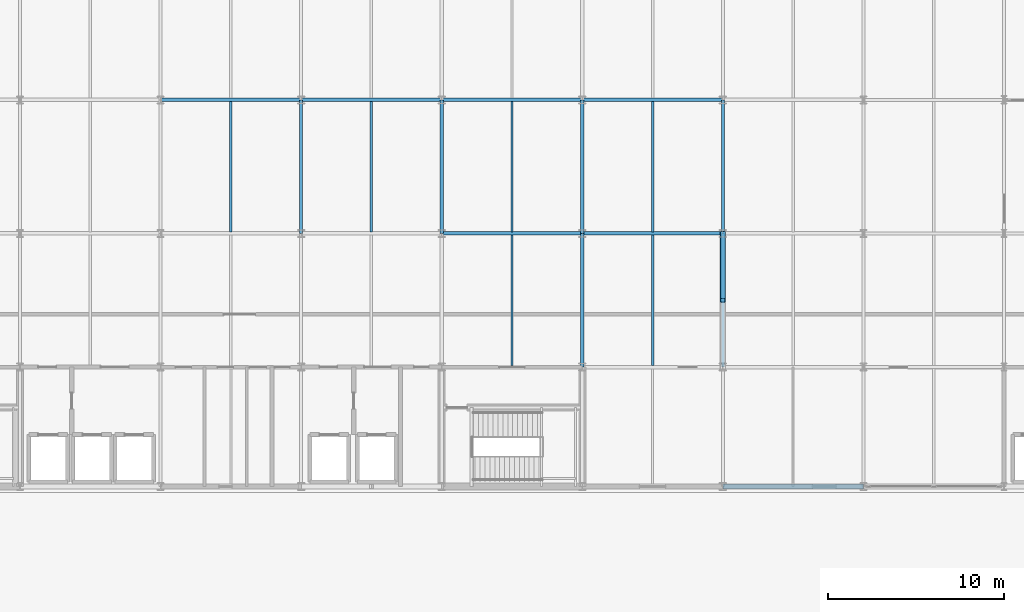
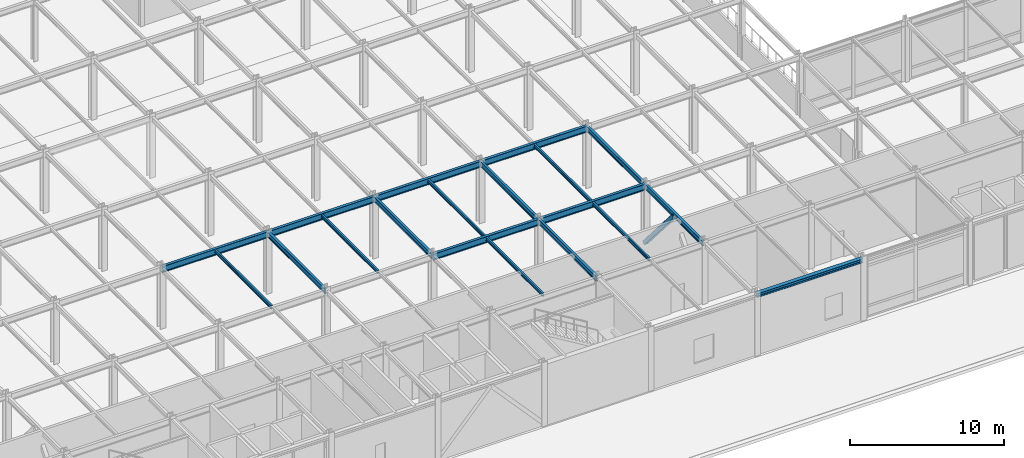
# One storey, part 25 of 113: 19 beams, 1 member.
"""IFC4 building model written with IfcOpenShell, lengths in metres."""

import ifcopenshell
import ifcopenshell.guid

model = None  # the IFC model being written
_history = None  # IfcOwnerHistory: only IFC2X3 demands one
_inside = {}  # id of a spatial element -> (the spatial element, [elements in it])
_under = {}  # id of a project, library or spatial element -> (it, [spatial elements below it])
_declared = {}  # id of a project -> (the project, [libraries it declares])
_typed = {}  # id of a type object -> (the type object, [elements of that type])
_made_of = {}  # id of a material, layer set ... -> (it, [elements and type objects made of it])


def new_model(schema):
    """Start an empty IFC model of exactly this schema.

    Asked for "IFC4X3", IfcOpenShell would pick the latest addendum, in which some entities
    have other attributes; the version numbers below select the first issue.
    IFC2X3 requires an IfcOwnerHistory on every rooted entity: one is made here for all.
    """
    global model, _history
    if schema == "IFC4X3":
        model = ifcopenshell.file(schema_version=(4, 3, 0, 0))
    else:
        model = ifcopenshell.file(schema=schema)
    _inside.clear()
    _under.clear()
    _declared.clear()
    _typed.clear()
    _made_of.clear()
    _history = None
    if model.schema == "IFC2X3":
        org = make("IfcOrganization", Name="unknown")
        user = make(
            "IfcPersonAndOrganization",
            ThePerson=make("IfcPerson", FamilyName="unknown"),
            TheOrganization=org,
        )
        app = make(
            "IfcApplication",
            ApplicationDeveloper=org,
            Version="unknown",
            ApplicationFullName="unknown",
            ApplicationIdentifier="unknown",
        )
        _history = make(
            "IfcOwnerHistory",
            OwningUser=user,
            OwningApplication=app,
            ChangeAction="ADDED",
            CreationDate=0,
        )
    return model


def make(cls, **values):
    """One entity of the class cls with the attributes given. An attribute that is None is left unset."""
    return model.create_entity(
        cls, **{name: value for name, value in values.items() if value is not None}
    )


def rooted(cls, **values):
    """An entity with a GlobalId (a new one), such as an element, a storey or a relation."""
    return make(cls, GlobalId=ifcopenshell.guid.new(), OwnerHistory=_history, **values)


def si_unit(unit_type, name, prefix=None):
    """IfcSIUnit, for example si_unit("LENGTHUNIT", "METRE", prefix="MILLI")."""
    return make("IfcSIUnit", UnitType=unit_type, Prefix=prefix, Name=name)


def assignment(units):
    """IfcUnitAssignment: the units of a project."""
    return None if units is None else make("IfcUnitAssignment", Units=units)


def point(xyz):
    """IfcCartesianPoint."""
    return None if xyz is None else make("IfcCartesianPoint", Coordinates=xyz)


def direction(xyz):
    """IfcDirection."""
    return None if xyz is None else make("IfcDirection", DirectionRatios=xyz)


def frame(location, z_axis=None, x_axis=None):
    """IfcAxis2Placement3D, a coordinate frame: its origin and axes. An axis left out is left unset."""
    return make(
        "IfcAxis2Placement3D",
        Location=point(location),
        Axis=direction(z_axis),
        RefDirection=direction(x_axis),
    )


def frame_2d(location, x_axis=None):
    """IfcAxis2Placement2D, a coordinate frame in the plane: its origin and x axis."""
    return make(
        "IfcAxis2Placement2D", Location=point(location), RefDirection=direction(x_axis)
    )


def origin():
    """The frame at (0, 0, 0) with its axes left unset."""
    return frame((0.0, 0.0, 0.0))


def origin_2d():
    """The frame at (0, 0) in the plane with its x axis left unset."""
    return frame_2d((0.0, 0.0))


def place(relative_to, where):
    """IfcLocalPlacement: puts the frame where relative to a parent placement (None: the world)."""
    return make(
        "IfcLocalPlacement", PlacementRelTo=relative_to, RelativePlacement=where
    )


def context(
    kind, dimensions, precision=None, world=None, true_north=None, identifier=None
):
    """IfcGeometricRepresentationContext, for example the 3D "Model" context."""
    return make(
        "IfcGeometricRepresentationContext",
        ContextIdentifier=identifier,
        ContextType=kind,
        CoordinateSpaceDimension=dimensions,
        Precision=precision,
        WorldCoordinateSystem=world,
        TrueNorth=true_north,
    )


def subcontext(parent, identifier, kind, view, scale=None):
    """IfcGeometricRepresentationSubContext, for example "Body" below "Model"."""
    return make(
        "IfcGeometricRepresentationSubContext",
        ContextIdentifier=identifier,
        ContextType=kind,
        ParentContext=parent,
        TargetScale=scale,
        TargetView=view,
    )


def project(units=None, contexts=None):
    """IfcProject with its units and contexts."""
    return rooted(
        "IfcProject",
        Name="project",
        RepresentationContexts=contexts,
        UnitsInContext=assignment(units),
    )


def spatial(cls, under=None, at=None, **own):
    """A site, building, storey or space (cls), placed at a placement, below another one or the project."""
    s = rooted(cls, ObjectPlacement=at, **own)
    if under is not None:
        _under.setdefault(under.id(), (under, []))[1].append(s)
    return s


def profile(cls, at=None, kind="AREA", **sizes):
    """A parametric profile (cls). Its sizes go by their IFC names, for example OverallWidth=200.0."""
    return make(cls, ProfileType=kind, Position=at, **sizes)


def hollow_rectangle(**sizes):
    """IfcRectangleHollowProfileDef."""
    return profile("IfcRectangleHollowProfileDef", **sizes)


def i_section(**sizes):
    """IfcIShapeProfileDef."""
    return profile("IfcIShapeProfileDef", **sizes)


def extrude(swept, where, along, depth):
    """IfcExtrudedAreaSolid: the profile swept, set in the frame where, extruded along a direction by depth."""
    return make(
        "IfcExtrudedAreaSolid",
        SweptArea=swept,
        Position=where,
        ExtrudedDirection=direction(along),
        Depth=depth,
    )


def shape(context_of_items, identifier, shape_type, items):
    """IfcShapeRepresentation: the items that make up one representation, for example the "Body"."""
    return make(
        "IfcShapeRepresentation",
        ContextOfItems=context_of_items,
        RepresentationIdentifier=identifier,
        RepresentationType=shape_type,
        Items=items,
    )


def material(Name=None, Category=None):
    """IfcMaterial."""
    return make("IfcMaterial", Name=Name, Category=Category)


def material_profile(
    of_material, cross_section, Name=None, Category=None, Priority=None
):
    """IfcMaterialProfile: a cross section and its material."""
    return make(
        "IfcMaterialProfile",
        Name=Name,
        Material=of_material,
        Profile=cross_section,
        Priority=Priority,
        Category=Category,
    )


def profile_set(profiles, Name=None, composite=None):
    """IfcMaterialProfileSet."""
    return make(
        "IfcMaterialProfileSet",
        Name=Name,
        MaterialProfiles=profiles,
        CompositeProfile=composite,
    )


def made_of(thing, what):
    """Note that an element or type object is made of a material, layer set ...; save() writes the relation."""
    if what is not None:
        _made_of.setdefault(what.id(), (what, []))[1].append(thing)
    return thing


def type_object(cls, material=None, **own):
    """A type object (cls), such as IfcWallType, which elements share."""
    return made_of(rooted(cls, **own), material)


def element(
    cls,
    number,
    at=None,
    inside=None,
    cuts=None,
    type_object=None,
    material=None,
    context=None,
    identifier="Body",
    shape_type=None,
    held_by="IfcProductDefinitionShape",
    body=None,
    shapes=None,
    **own,
):
    """One element of the class cls, such as IfcWall. Its Tag is "e" and its number.

    at: its placement. inside: the storey or other place that contains it. cuts: it is an
    opening in that element (IfcRelVoidsElement). A single representation is given by context,
    identifier, shape_type and body (its items); several are given by shapes. held_by: the class
    of the entity that holds the representations. save() writes the other relations.
    """
    e = rooted(cls, Tag="e%d" % number, ObjectPlacement=at, **own)
    if body is not None:
        shapes = [shape(context, identifier, shape_type, body)]
    if shapes is not None:
        e.Representation = make(held_by, Representations=shapes)
    if inside is not None:
        _inside.setdefault(inside.id(), (inside, []))[1].append(e)
    if cuts is not None:
        rooted(
            "IfcRelVoidsElement", RelatingBuildingElement=cuts, RelatedOpeningElement=e
        )
    if type_object is not None:
        _typed.setdefault(type_object.id(), (type_object, []))[1].append(e)
    return made_of(e, material)


def aggregate(whole, parts):
    """IfcRelAggregates: a whole, such as a stair, and the parts it consists of."""
    return rooted("IfcRelAggregates", RelatingObject=whole, RelatedObjects=parts)


def save(model, path):
    """Write the relations noted so far, then the file.

    IfcRelAggregates (storeys below a building ...), IfcRelContainedInSpatialStructure (elements
    in a storey), IfcRelDefinesByType, IfcRelAssociatesMaterial and IfcRelDeclares: one each for
    every whole, place, type object, material and project.
    """
    for whole, parts in _under.values():
        aggregate(whole, parts)
    for where, things in _inside.values():
        rooted(
            "IfcRelContainedInSpatialStructure",
            RelatedElements=things,
            RelatingStructure=where,
        )
    for kind, things in _typed.values():
        rooted("IfcRelDefinesByType", RelatedObjects=things, RelatingType=kind)
    for what, things in _made_of.values():
        rooted("IfcRelAssociatesMaterial", RelatedObjects=things, RelatingMaterial=what)
    for by, libraries in _declared.values():
        rooted("IfcRelDeclares", RelatingContext=by, RelatedDefinitions=libraries)
    model.write(path)


model = new_model("IFC4")

# Units and contexts
model_context = context("Model", 3, precision=1e-05, world=origin(), true_north=direction((0.0, 1.0)))
body_context = subcontext(model_context, "Body", "Model", "MODEL_VIEW")
ifc_project = project(units=[si_unit("LENGTHUNIT", "METRE"), si_unit("AREAUNIT", "SQUARE_METRE"), si_unit("VOLUMEUNIT", "CUBIC_METRE"), si_unit("PLANEANGLEUNIT", "RADIAN"), si_unit("MASSUNIT", "GRAM", prefix="KILO")], contexts=[model_context])

# Site, building, storey
site_placement = place(None, origin())
site = spatial("IfcSite", under=ifc_project, at=site_placement, CompositionType="ELEMENT")
building_placement = place(site_placement, origin())
building = spatial("IfcBuilding", under=site, at=building_placement, Name="Shalkamar Park Central Library", CompositionType="ELEMENT")
storey_placement = place(building_placement, frame((0.0, 0.0, 5.39990234375)))
storey = spatial("IfcBuildingStorey", under=building, at=storey_placement, Name="L02", CompositionType="ELEMENT", Elevation=5.39990234375)

# Beams
ifc_material = material(Name="Steel S355", Category="steel")
ifc_material_profile_1 = material_profile(ifc_material, i_section(OverallWidth=0.135009765625, OverallDepth=0.27001953125, WebThickness=0.006591796875, FlangeThickness=0.01025390625, FilletRadius=0.014892578125, at=origin_2d()), Name="IPE 270")
ifc_profile_set_1 = profile_set([ifc_material_profile_1], Name="Steel S355")
beam_type_1 = type_object("IfcBeamType", Name="Composite Floor Joist IPE270", PredefinedType="JOIST", material=ifc_profile_set_1)
for number, where, z_axis, x_axis, name in (
    (1, (185.0, 262.89794921875, 4.72509765625), (0.0, 1.0, 0.0), (-1.0, 0.0, 0.0), "Composite Joist 09/D-1 (L02)"),
    (2, (193.0, 262.89794921875, 4.72509765625), (0.0, 1.0, 0.0), (-1.0, 0.0, 0.0), "Composite Joist 10/D-1 (L02)"),
):
    element("IfcBeam", number, at=place(storey_placement, frame(where, z_axis=z_axis, x_axis=x_axis)), inside=storey, type_object=beam_type_1, Name=name, PredefinedType="JOIST", context=body_context, shape_type="SweptSolid", body=[
        extrude(i_section(OverallWidth=0.135009765625, OverallDepth=0.27001953125, WebThickness=0.006591796875, FlangeThickness=0.01025390625, FilletRadius=0.014892578125, at=origin_2d()), origin(), (0.0, 0.0, 1.0), 7.404052734375),
    ])
beam_1_placement = place(storey_placement, frame((201.0, 255.298095703125, 4.72509765625), z_axis=(0.0, 1.0, 0.0), x_axis=(-1.0, 0.0, 0.0)))
element("IfcBeam", 3, at=beam_1_placement, inside=storey, type_object=beam_type_1, Name="Composite Joist 11/C-1 (L02)", PredefinedType="JOIST", context=body_context, shape_type="SweptSolid", body=[
    extrude(i_section(OverallWidth=0.135009765625, OverallDepth=0.27001953125, WebThickness=0.006591796875, FlangeThickness=0.01025390625, FilletRadius=0.014892578125, at=origin_2d()), origin(), (0.0, 0.0, 1.0), 7.40380859375),
])
beam_2_placement = place(storey_placement, frame((201.0, 262.89794921875, 4.72509765625), z_axis=(0.0, 1.0, 0.0), x_axis=(-1.0, 0.0, 0.0)))
element("IfcBeam", 4, at=beam_2_placement, inside=storey, type_object=beam_type_1, Name="Composite Joist 11/D-1 (L02)", PredefinedType="JOIST", context=body_context, shape_type="SweptSolid", body=[
    extrude(i_section(OverallWidth=0.135009765625, OverallDepth=0.27001953125, WebThickness=0.006591796875, FlangeThickness=0.01025390625, FilletRadius=0.014892578125, at=origin_2d()), origin(), (0.0, 0.0, 1.0), 7.404052734375),
])
beam_3_placement = place(storey_placement, frame((209.0, 255.298095703125, 4.72509765625), z_axis=(0.0, 1.0, 0.0), x_axis=(-1.0, 0.0, 0.0)))
element("IfcBeam", 5, at=beam_3_placement, inside=storey, type_object=beam_type_1, Name="Composite Joist 12/C-1 (L02)", PredefinedType="JOIST", context=body_context, shape_type="SweptSolid", body=[
    extrude(i_section(OverallWidth=0.135009765625, OverallDepth=0.27001953125, WebThickness=0.006591796875, FlangeThickness=0.01025390625, FilletRadius=0.014892578125, at=origin_2d()), origin(), (0.0, 0.0, 1.0), 7.40380859375),
])
beam_4_placement = place(storey_placement, frame((209.0, 262.89794921875, 4.72509765625), z_axis=(0.0, 1.0, 0.0), x_axis=(-1.0, 0.0, 0.0)))
element("IfcBeam", 6, at=beam_4_placement, inside=storey, type_object=beam_type_1, Name="Composite Joist 12/D-1 (L02)", PredefinedType="JOIST", context=body_context, shape_type="SweptSolid", body=[
    extrude(i_section(OverallWidth=0.135009765625, OverallDepth=0.27001953125, WebThickness=0.006591796875, FlangeThickness=0.01025390625, FilletRadius=0.014892578125, at=origin_2d()), origin(), (0.0, 0.0, 1.0), 7.404052734375),
])

# Member
ifc_material_profile_2 = material_profile(ifc_material, hollow_rectangle(XDim=0.300048828125, YDim=0.300048828125, WallThickness=0.01611328125, InnerFilletRadius=0.01611328125, OuterFilletRadius=0.02392578125, at=origin_2d()), Name="SHS 300x300x16")
ifc_profile_set_2 = profile_set([ifc_material_profile_2], Name="Steel S355")
member_type = type_object("IfcMemberType", Name="Diagonal Brace SHS300", PredefinedType="BRACE", material=ifc_profile_set_2)
member_placement = place(storey_placement, frame((213.0, 262.800048828125, 0.150146484375), z_axis=(0.0, -0.652781978733, 0.757545832436), x_axis=(1.0, 0.0, 0.0)))
element("IfcMember", 7, at=member_placement, inside=storey, type_object=member_type, Name="Chevron Brace TW-E Leg B (L02)", PredefinedType="BRACE", context=body_context, shape_type="SweptSolid", body=[
    extrude(hollow_rectangle(XDim=0.300048828125, YDim=0.300048828125, WallThickness=0.01611328125, InnerFilletRadius=0.01611328125, OuterFilletRadius=0.02392578125, at=origin_2d()), origin(), (0.0, 0.0, 1.0), 5.8212890625),
])

# Beams
ifc_material_profile_3 = material_profile(ifc_material, i_section(OverallWidth=0.300048828125, OverallDepth=0.31005859375, WebThickness=0.009033203125, FlangeThickness=0.015380859375, FilletRadius=0.027099609375, at=origin_2d()), Name="HEA 320")
ifc_profile_set_3 = profile_set([ifc_material_profile_3], Name="Steel S355")
beam_type_2 = type_object("IfcBeamType", Name="Perimeter Spandrel Beam HEA320", PredefinedType="SPANDREL", material=ifc_profile_set_3)
beam_5_placement = place(storey_placement, frame((213.0, 248.39990234375, 4.705078125), z_axis=(1.0, 0.0, 0.0), x_axis=(0.0, 1.0, 0.0)))
element("IfcBeam", 8, at=beam_5_placement, inside=storey, type_object=beam_type_2, Name="Beam B:13-14 (L02)", PredefinedType="SPANDREL", context=body_context, shape_type="SweptSolid", body=[
    extrude(i_section(OverallWidth=0.300048828125, OverallDepth=0.31005859375, WebThickness=0.009033203125, FlangeThickness=0.015380859375, FilletRadius=0.027099609375, at=origin_2d()), origin(), (0.0, 0.0, 1.0), 8.0),
])
ifc_material_profile_4 = material_profile(ifc_material, i_section(OverallWidth=0.179931640625, OverallDepth=0.39990234375, WebThickness=0.008544921875, FlangeThickness=0.013427734375, FilletRadius=0.02099609375, at=origin_2d()), Name="IPE 400")
ifc_profile_set_4 = profile_set([ifc_material_profile_4], Name="Steel S355")
beam_type_3 = type_object("IfcBeamType", Name="Primary Girder IPE400", PredefinedType="BEAM", material=ifc_profile_set_4)
for number, where, z_axis, x_axis, name in (
    (9, (189.0, 262.800048828125, 4.66015625), (0.0, 1.0, 0.0), (-1.0, 0.0, 0.0), "Beam 10:D-E (L02)"),
    (10, (197.0, 262.800048828125, 4.66015625), (0.0, 1.0, 0.0), (-1.0, 0.0, 0.0), "Beam 11:D-E (L02)"),
):
    element("IfcBeam", number, at=place(storey_placement, frame(where, z_axis=z_axis, x_axis=x_axis)), inside=storey, type_object=beam_type_3, Name=name, PredefinedType="BEAM", context=body_context, shape_type="SweptSolid", body=[
        extrude(i_section(OverallWidth=0.179931640625, OverallDepth=0.39990234375, WebThickness=0.008544921875, FlangeThickness=0.013427734375, FilletRadius=0.02099609375, at=origin_2d()), origin(), (0.0, 0.0, 1.0), 7.599853515625),
    ])
beam_6_placement = place(storey_placement, frame((205.0, 255.199951171875, 4.66015625), z_axis=(0.0, 1.0, 0.0), x_axis=(-1.0, 0.0, 0.0)))
element("IfcBeam", 11, at=beam_6_placement, inside=storey, type_object=beam_type_3, Name="Beam 12:C-D (L02)", PredefinedType="BEAM", context=body_context, shape_type="SweptSolid", body=[
    extrude(i_section(OverallWidth=0.179931640625, OverallDepth=0.39990234375, WebThickness=0.008544921875, FlangeThickness=0.013427734375, FilletRadius=0.02099609375, at=origin_2d()), origin(), (0.0, 0.0, 1.0), 7.60009765625),
])
beam_7_placement = place(storey_placement, frame((205.0, 262.800048828125, 4.66015625), z_axis=(0.0, 1.0, 0.0), x_axis=(-1.0, 0.0, 0.0)))
element("IfcBeam", 12, at=beam_7_placement, inside=storey, type_object=beam_type_3, Name="Beam 12:D-E (L02)", PredefinedType="BEAM", context=body_context, shape_type="SweptSolid", body=[
    extrude(i_section(OverallWidth=0.179931640625, OverallDepth=0.39990234375, WebThickness=0.008544921875, FlangeThickness=0.013427734375, FilletRadius=0.02099609375, at=origin_2d()), origin(), (0.0, 0.0, 1.0), 7.599853515625),
])
beam_8_placement = place(storey_placement, frame((213.0, 255.199951171875, 4.66015625), z_axis=(0.0, 1.0, 0.0), x_axis=(-1.0, 0.0, 0.0)))
element("IfcBeam", 13, at=beam_8_placement, inside=storey, type_object=beam_type_3, Name="Beam 13:C-D (L02)", PredefinedType="BEAM", context=body_context, shape_type="SweptSolid", body=[
    extrude(i_section(OverallWidth=0.179931640625, OverallDepth=0.39990234375, WebThickness=0.008544921875, FlangeThickness=0.013427734375, FilletRadius=0.02099609375, at=origin_2d()), origin(), (0.0, 0.0, 1.0), 7.60009765625),
])
beam_9_placement = place(storey_placement, frame((213.0, 262.800048828125, 4.66015625), z_axis=(0.0, 1.0, 0.0), x_axis=(-1.0, 0.0, 0.0)))
element("IfcBeam", 14, at=beam_9_placement, inside=storey, type_object=beam_type_3, Name="Beam 13:D-E (L02)", PredefinedType="BEAM", context=body_context, shape_type="SweptSolid", body=[
    extrude(i_section(OverallWidth=0.179931640625, OverallDepth=0.39990234375, WebThickness=0.008544921875, FlangeThickness=0.013427734375, FilletRadius=0.02099609375, at=origin_2d()), origin(), (0.0, 0.0, 1.0), 7.599853515625),
])
ifc_material_profile_5 = material_profile(ifc_material, i_section(OverallWidth=0.199951171875, OverallDepth=0.5, WebThickness=0.01025390625, FlangeThickness=0.01611328125, FilletRadius=0.02099609375, at=origin_2d()), Name="IPE 500")
ifc_profile_set_5 = profile_set([ifc_material_profile_5], Name="Steel S355")
beam_type_4 = type_object("IfcBeamType", Name="Primary Girder IPE500", PredefinedType="BEAM", material=ifc_profile_set_5)
for number, where, z_axis, x_axis, name in (
    (15, (197.0, 262.800048828125, 4.610107421875), (1.0, 0.0, 0.0), (0.0, 1.0, 0.0), "Beam D:11-12 (L02)"),
    (16, (205.0, 262.800048828125, 4.610107421875), (1.0, 0.0, 0.0), (0.0, 1.0, 0.0), "Beam D:12-13 (L02)"),
    (17, (181.0, 270.39990234375, 4.610107421875), (1.0, 0.0, 0.0), (0.0, 1.0, 0.0), "Beam E:09-10 (L02)"),
    (18, (189.0, 270.39990234375, 4.610107421875), (1.0, 0.0, 0.0), (0.0, 1.0, 0.0), "Beam E:10-11 (L02)"),
    (19, (197.0, 270.39990234375, 4.610107421875), (1.0, 0.0, 0.0), (0.0, 1.0, 0.0), "Beam E:11-12 (L02)"),
    (20, (205.0, 270.39990234375, 4.610107421875), (1.0, 0.0, 0.0), (0.0, 1.0, 0.0), "Beam E:12-13 (L02)"),
):
    element("IfcBeam", number, at=place(storey_placement, frame(where, z_axis=z_axis, x_axis=x_axis)), inside=storey, type_object=beam_type_4, Name=name, PredefinedType="BEAM", context=body_context, shape_type="SweptSolid", body=[
        extrude(i_section(OverallWidth=0.199951171875, OverallDepth=0.5, WebThickness=0.01025390625, FlangeThickness=0.01611328125, FilletRadius=0.02099609375, at=origin_2d()), origin(), (0.0, 0.0, 1.0), 8.0),
    ])

save(model, "model.ifc")
